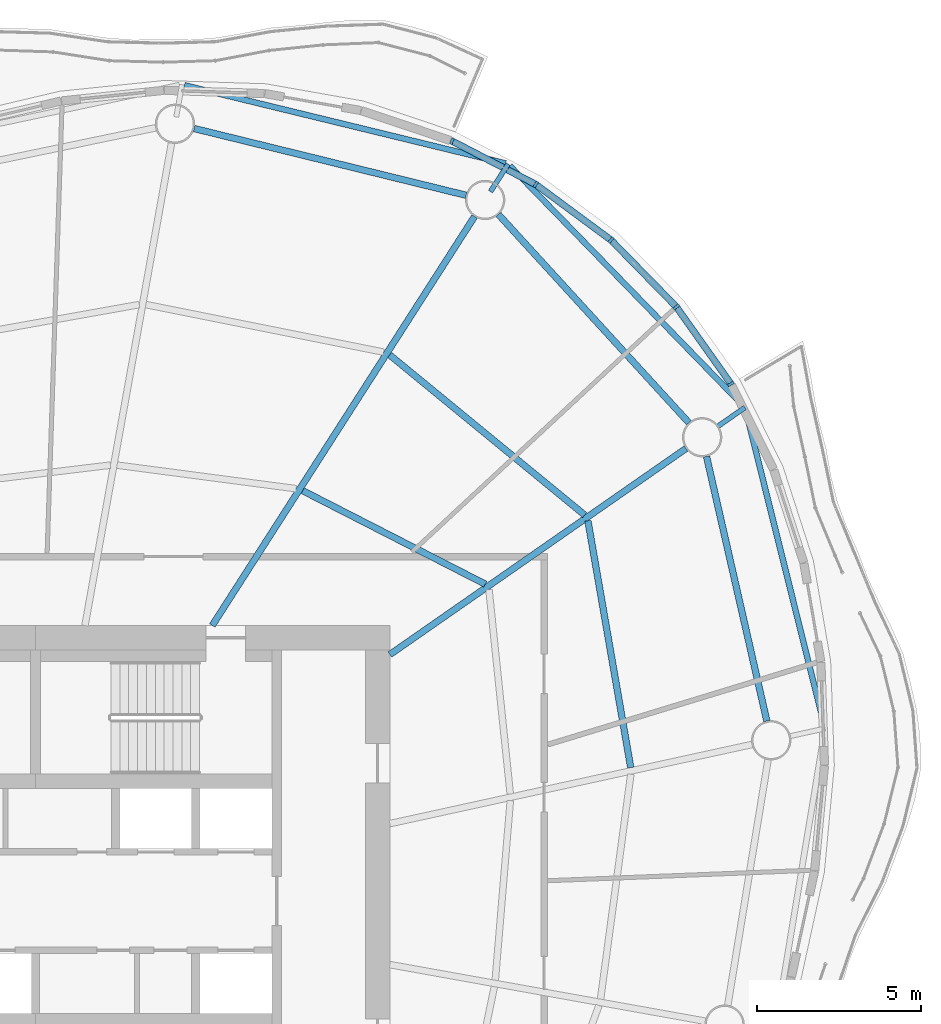
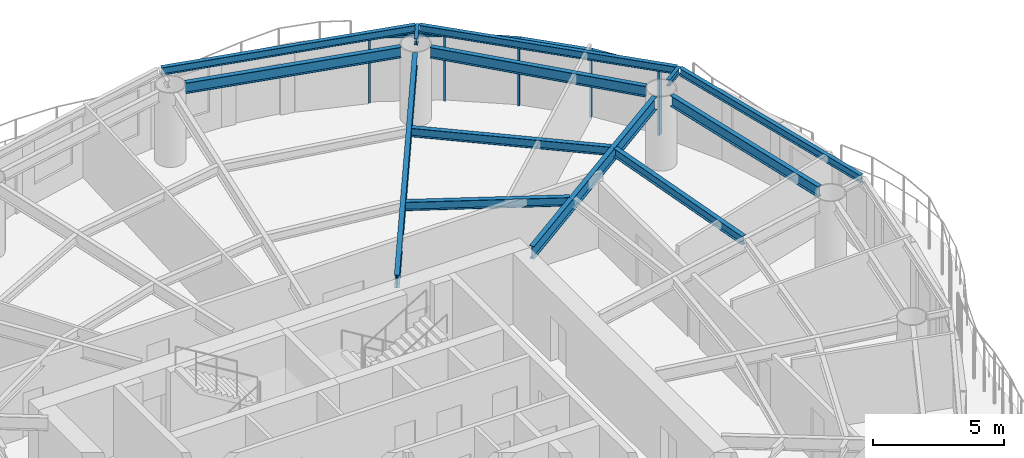
# One storey, part 6 of 14: 13 beams, 9 members, 4 elements without a shape of their own.
"""IFC4 building model written with IfcOpenShell, lengths in metres."""

from ifc_helpers import new_model, si_unit, direction, frame, origin, origin_2d, place, context, subcontext, project, spatial, rectangle, i_section, extrude, material, material_profile, profile_set, type_object, element, aggregate, save


model = new_model("IFC4")

# Units and contexts
model_context = context("Model", 3, precision=1e-05, world=origin(), true_north=direction((0.0, 1.0)))
body_context = subcontext(model_context, "Body", "Model", "MODEL_VIEW")
ifc_project = project(units=[si_unit("LENGTHUNIT", "METRE"), si_unit("AREAUNIT", "SQUARE_METRE"), si_unit("VOLUMEUNIT", "CUBIC_METRE"), si_unit("PLANEANGLEUNIT", "RADIAN"), si_unit("MASSUNIT", "GRAM", prefix="KILO")], contexts=[model_context])

# Site, building, storey
site_placement = place(None, origin())
site = spatial("IfcSite", under=ifc_project, at=site_placement, CompositionType="ELEMENT")
building_placement = place(site_placement, origin())
building = spatial("IfcBuilding", under=site, at=building_placement, Name="Vermilion Reach Broadcast Tower", CompositionType="ELEMENT")
storey_placement = place(building_placement, frame((0.0, 0.0, 228.10009765625)))
storey = spatial("IfcBuildingStorey", under=building, at=storey_placement, Name="L56", CompositionType="ELEMENT", Elevation=228.10009765625)

# Beams
ifc_material_1 = material(Name="Steel S355J2", Category="steel")
ifc_material_profile_1 = material_profile(ifc_material_1, i_section(OverallWidth=0.175048828125, OverallDepth=0.35009765625, WebThickness=0.007080078125, FlangeThickness=0.010986328125, at=origin_2d()), Name="S355J2 HN 350x175x7x11")
ifc_profile_set_1 = profile_set([ifc_material_profile_1], Name="Steel S355J2")
beam_type_1 = type_object("IfcBeamType", Name="EB4 HN 350x175x7x11", PredefinedType="BEAM", material=ifc_profile_set_1)
beam_1_placement = place(storey_placement, frame((8.328125, 22.483154296875, 3.27490234375), z_axis=(-0.971630147479, 0.236505510527, 0.0), x_axis=(-0.236505510527, -0.971630147479, 0.0)))
element("IfcBeam", 1, at=beam_1_placement, inside=storey, type_object=beam_type_1, Name="Edge beam EB4-01", PredefinedType="BEAM", context=body_context, shape_type="SweptSolid", body=[
    extrude(i_section(OverallWidth=0.175048828125, OverallDepth=0.35009765625, WebThickness=0.007080078125, FlangeThickness=0.010986328125, at=origin_2d()), origin(), (0.0, 0.0, 1.0), 10.0771484375),
])
beam_2_placement = place(storey_placement, frame((18.0458984375, 5.332763671875, 3.27490234375), z_axis=(-0.24218848955, 0.970229218035, 0.0), x_axis=(-0.970229218035, -0.24218848955, 0.0)))
element("IfcBeam", 2, at=beam_2_placement, inside=storey, type_object=beam_type_1, Name="Edge beam EB4-15", PredefinedType="BEAM", context=body_context, shape_type="SweptSolid", body=[
    extrude(i_section(OverallWidth=0.175048828125, OverallDepth=0.35009765625, WebThickness=0.007080078125, FlangeThickness=0.010986328125, at=origin_2d()), origin(), (0.0, 0.0, 1.0), 9.929443359375),
])
beam_3_placement = place(storey_placement, frame((15.56884765625, 15.098876953125, 3.27490234375), z_axis=(-0.697210688618, 0.716866274613, 0.0), x_axis=(-0.716866274613, -0.697210688618, 0.0)))
element("IfcBeam", 3, at=beam_3_placement, inside=storey, type_object=beam_type_1, Name="Edge beam EB4-16", PredefinedType="BEAM", context=body_context, shape_type="SweptSolid", body=[
    extrude(i_section(OverallWidth=0.175048828125, OverallDepth=0.35009765625, WebThickness=0.007080078125, FlangeThickness=0.010986328125, at=origin_2d()), origin(), (0.0, 0.0, 1.0), 10.197509765625),
])
ifc_material_2 = material(Name="Steel S355J2", Category="steel")
ifc_material_profile_2 = material_profile(ifc_material_2, i_section(OverallWidth=0.199951171875, OverallDepth=0.60009765625, WebThickness=0.010986328125, FlangeThickness=0.01708984375, at=origin_2d()), Name="S355J2 HN 600x200x11x17")
ifc_profile_set_2 = profile_set([ifc_material_profile_2], Name="Steel S355J2")
beam_type_2 = type_object("IfcBeamType", Name="G4 HN 600x200x11x17", PredefinedType="BEAM", material=ifc_profile_set_2)
beam_4_placement = place(storey_placement, frame((-0.613525390625, 8.39990234375, 3.14990234375), z_axis=(0.539796447586, 0.84179557802, 0.0), x_axis=(-0.84179557802, 0.539796447586, 0.0)))
element("IfcBeam", 4, at=beam_4_placement, inside=storey, type_object=beam_type_2, Name="Girder G4-01", PredefinedType="BEAM", context=body_context, shape_type="SweptSolid", body=[
    extrude(i_section(OverallWidth=0.199951171875, OverallDepth=0.60009765625, WebThickness=0.010986328125, FlangeThickness=0.01708984375, at=origin_2d()), origin(), (0.0, 0.0, 1.0), 14.8076171875),
])
beam_5_placement = place(storey_placement, frame((4.800048828125, 7.5146484375, 3.14990234375), z_axis=(0.820848627818, 0.571145804684, 0.0), x_axis=(-0.571145804684, 0.820848627818, 0.0)))
element("IfcBeam", 5, at=beam_5_placement, inside=storey, type_object=beam_type_2, Name="Girder G4-16", PredefinedType="BEAM", context=body_context, shape_type="SweptSolid", body=[
    extrude(i_section(OverallWidth=0.199951171875, OverallDepth=0.60009765625, WebThickness=0.010986328125, FlangeThickness=0.01708984375, at=origin_2d()), origin(), (0.0, 0.0, 1.0), 10.99560546875),
])
ifc_material_3 = material(Name="Steel S355J2", Category="steel")
ifc_material_profile_3 = material_profile(ifc_material_3, i_section(OverallWidth=0.14990234375, OverallDepth=0.300048828125, WebThickness=0.006591796875, FlangeThickness=0.009033203125, at=origin_2d()), Name="S355J2 HN 300x150x6.5x9")
ifc_profile_set_3 = profile_set([ifc_material_profile_3], Name="Steel S355J2")
beam_type_3 = type_object("IfcBeamType", Name="GS4 HN 300x150x6.5x9", PredefinedType="BEAM", material=ifc_profile_set_3)
for number, where, z_axis, x_axis, name in (
    (6, (7.865478515625, 21.62255859375, 3.2998046875), (0.539794777091, 0.841796649213, 0.0), (-0.841796649213, 0.539794777091, 0.0), "Cantilever stub GS4-01"),
    (7, (14.801025390625, 14.47314453125, 3.2998046875), (0.820765852073, 0.571264751294, 0.0), (-0.571264751294, 0.820765852073, 0.0), "Cantilever stub GS4-16"),
):
    element("IfcBeam", number, at=place(storey_placement, frame(where, z_axis=z_axis, x_axis=x_axis)), inside=storey, type_object=beam_type_3, Name=name, PredefinedType="BEAM", context=body_context, shape_type="SweptSolid", body=[
        extrude(i_section(OverallWidth=0.14990234375, OverallDepth=0.300048828125, WebThickness=0.006591796875, FlangeThickness=0.009033203125, at=origin_2d()), origin(), (0.0, 0.0, 1.0), 1.0),
    ])
ifc_material_4 = material(Name="Steel S355J2", Category="steel")
ifc_material_profile_4 = material_profile(ifc_material_4, i_section(OverallWidth=0.199951171875, OverallDepth=0.5, WebThickness=0.010009765625, FlangeThickness=0.01611328125, at=origin_2d()), Name="S355J2 HN 500x200x10x16")
ifc_profile_set_4 = profile_set([ifc_material_profile_4], Name="Steel S355J2")
beam_type_4 = type_object("IfcBeamType", Name="RB4 HN 500x200x10x16", PredefinedType="BEAM", material=ifc_profile_set_4)
beam_6_placement = place(storey_placement, frame((7.120849609375, 21.51318359375, 3.199951171875), z_axis=(-0.971158622271, 0.238434331398, 0.0), x_axis=(-0.238434331398, -0.971158622271, 0.0)))
element("IfcBeam", 8, at=beam_6_placement, inside=storey, type_object=beam_type_4, Name="Ring beam RB4-01", PredefinedType="BEAM", context=body_context, shape_type="SweptSolid", body=[
    extrude(i_section(OverallWidth=0.199951171875, OverallDepth=0.5, WebThickness=0.010009765625, FlangeThickness=0.01611328125, at=origin_2d()), origin(), (0.0, 0.0, 1.0), 8.534423828125),
])
beam_7_placement = place(storey_placement, frame((16.290283203125, 5.486572265625, 3.199951171875), z_axis=(-0.222283068275, 0.974982172944, 0.0), x_axis=(-0.974982172944, -0.222283068275, 0.0)))
element("IfcBeam", 9, at=beam_7_placement, inside=storey, type_object=beam_type_4, Name="Ring beam RB4-15", PredefinedType="BEAM", context=body_context, shape_type="SweptSolid", body=[
    extrude(i_section(OverallWidth=0.199951171875, OverallDepth=0.5, WebThickness=0.010009765625, FlangeThickness=0.01611328125, at=origin_2d()), origin(), (0.0, 0.0, 1.0), 8.272705078125),
])
beam_8_placement = place(storey_placement, frame((13.9130859375, 14.580078125, 3.199951171875), z_axis=(-0.674868141417, 0.737938338684, 0.0), x_axis=(-0.737938338684, -0.674868141417, 0.0)))
element("IfcBeam", 10, at=beam_8_placement, inside=storey, type_object=beam_type_4, Name="Ring beam RB4-16", PredefinedType="BEAM", context=body_context, shape_type="SweptSolid", body=[
    extrude(i_section(OverallWidth=0.199951171875, OverallDepth=0.5, WebThickness=0.010009765625, FlangeThickness=0.01611328125, at=origin_2d()), origin(), (0.0, 0.0, 1.0), 8.601318359375),
])
ifc_material_5 = material(Name="Steel S355J2", Category="steel")
ifc_material_profile_5 = material_profile(ifc_material_5, i_section(OverallWidth=0.199951171875, OverallDepth=0.39990234375, WebThickness=0.008056640625, FlangeThickness=0.012939453125, at=origin_2d()), Name="S355J2 HN 400x200x8x13")
ifc_profile_set_5 = profile_set([ifc_material_profile_5], Name="Steel S355J2")
beam_type_5 = type_object("IfcBeamType", Name="SB4 HN 400x200x8x13", PredefinedType="BEAM", material=ifc_profile_set_5)
beam_9_placement = place(storey_placement, frame((12.141357421875, 4.067626953125, 3.25), z_axis=(-0.170926997669, 0.985283695931, 0.0), x_axis=(-0.985283695931, -0.170926997669, 0.0)))
element("IfcBeam", 11, at=beam_9_placement, inside=storey, type_object=beam_type_5, Name="Secondary beam SB4-15-2", PredefinedType="BEAM", context=body_context, shape_type="SweptSolid", body=[
    extrude(i_section(OverallWidth=0.199951171875, OverallDepth=0.39990234375, WebThickness=0.008056640625, FlangeThickness=0.012939453125, at=origin_2d()), origin(), (0.0, 0.0, 1.0), 7.63720703125),
])
beam_10_placement = place(storey_placement, frame((7.707763671875, 9.659423828125, 3.25), z_axis=(-0.89015575218, 0.455656380249, 0.0), x_axis=(-0.455656380249, -0.89015575218, 0.0)))
element("IfcBeam", 12, at=beam_10_placement, inside=storey, type_object=beam_type_5, Name="Secondary beam SB4-16-1", PredefinedType="BEAM", context=body_context, shape_type="SweptSolid", body=[
    extrude(i_section(OverallWidth=0.199951171875, OverallDepth=0.39990234375, WebThickness=0.008056640625, FlangeThickness=0.012939453125, at=origin_2d()), origin(), (0.0, 0.0, 1.0), 6.25439453125),
])
beam_11_placement = place(storey_placement, frame((10.73681640625, 11.76708984375, 3.25), z_axis=(-0.772952000494, 0.6344645025, 0.0), x_axis=(-0.6344645025, -0.772952000494, 0.0)))
element("IfcBeam", 13, at=beam_11_placement, inside=storey, type_object=beam_type_5, Name="Secondary beam SB4-16-2", PredefinedType="BEAM", context=body_context, shape_type="SweptSolid", body=[
    extrude(i_section(OverallWidth=0.199951171875, OverallDepth=0.39990234375, WebThickness=0.008056640625, FlangeThickness=0.012939453125, at=origin_2d()), origin(), (0.0, 0.0, 1.0), 7.689697265625),
])

# Curtain wall, member
ifc_material_6 = material(Name="Low-e laminated clear glass in aluminium frame", Category="aluminium")
curtain_wall_type = type_object("IfcCurtainWallType", Name="Slot curtain wall", PredefinedType="NOTDEFINED", material=ifc_material_6)
placement = place(storey_placement, origin())
curtain_wall_1 = element("IfcCurtainWall", 14, at=placement, inside=storey, type_object=curtain_wall_type, Name="Slot curtain wall L56 46", PredefinedType="NOTDEFINED")
ifc_material_7 = material(Name="Anodised aluminium", Category="aluminium")
ifc_material_profile_6 = material_profile(ifc_material_7, rectangle(XDim=0.199951171875, YDim=0.080078125, at=origin_2d()), Name="Slot mullion 80 x 200")
ifc_profile_set_6 = profile_set([ifc_material_profile_6], Name="Anodised aluminium")
member_type_1 = type_object("IfcMemberType", Name="Slot mullion 80 x 200", PredefinedType="MULLION", material=ifc_profile_set_6)
member_1_placement = place(storey_placement, frame((15.195556640625, 15.7646484375, 0.0), z_axis=(0.0, 0.0, 1.0), x_axis=(-0.85818554969, -0.513339616924, 0.0)))
member_1 = element("IfcMember", 15, at=member_1_placement, type_object=member_type_1, Name="Slot mullion L56 46", PredefinedType="MULLION", context=body_context, shape_type="SweptSolid", body=[
    extrude(rectangle(XDim=0.199951171875, YDim=0.080078125, at=origin_2d()), origin(), (0.0, 0.0, 1.0), 3.099853515625),
])

curtain_wall_2 = element("IfcCurtainWall", 16, at=placement, inside=storey, type_object=curtain_wall_type, Name="Slot curtain wall L56 47", PredefinedType="NOTDEFINED")
member_2_placement = place(storey_placement, frame((13.533203125, 18.11083984375, 0.0), z_axis=(0.0, 0.0, 1.0), x_axis=(-0.767712269855, -0.640794718075, 0.0)))
member_2 = element("IfcMember", 17, at=member_2_placement, type_object=member_type_1, Name="Slot mullion L56 47", PredefinedType="MULLION", context=body_context, shape_type="SweptSolid", body=[
    extrude(rectangle(XDim=0.199951171875, YDim=0.080078125, at=origin_2d()), origin(), (0.0, 0.0, 1.0), 3.099853515625),
])

curtain_wall_3 = element("IfcCurtainWall", 18, at=placement, inside=storey, type_object=curtain_wall_type, Name="Slot curtain wall L56 00", PredefinedType="NOTDEFINED")
member_3_placement = place(storey_placement, frame((11.539306640625, 20.148193359375, 0.0), z_axis=(0.0, 0.0, 1.0), x_axis=(-0.656585722448, -0.754251409729, 0.0)))
member_3 = element("IfcMember", 19, at=member_3_placement, type_object=member_type_1, Name="Slot mullion L56 00", PredefinedType="MULLION", context=body_context, shape_type="SweptSolid", body=[
    extrude(rectangle(XDim=0.199951171875, YDim=0.080078125, at=origin_2d()), origin(), (0.0, 0.0, 1.0), 3.099853515625),
])

# Curtain wall, members
curtain_wall_4 = element("IfcCurtainWall", 20, at=placement, inside=storey, type_object=curtain_wall_type, Name="Slot curtain wall L56 01", PredefinedType="NOTDEFINED")
member_4_placement = place(storey_placement, frame((9.24658203125, 21.842529296875, 0.0), z_axis=(0.0, 0.0, 1.0), x_axis=(-0.528899178266, -0.848684664189, 0.0)))
member_4 = element("IfcMember", 21, at=member_4_placement, type_object=member_type_1, Name="Slot mullion L56 01", PredefinedType="MULLION", context=body_context, shape_type="SweptSolid", body=[
    extrude(rectangle(XDim=0.199951171875, YDim=0.080078125, at=origin_2d()), origin(), (0.0, 0.0, 1.0), 3.099853515625),
])
member_5_placement = place(storey_placement, frame((6.69384765625, 23.16552734375, 0.0), z_axis=(0.0, 0.0, 1.0), x_axis=(-0.390193517447, -0.920732870567, 0.0)))
member_5 = element("IfcMember", 22, at=member_5_placement, type_object=member_type_1, Name="Slot mullion L56 02", PredefinedType="MULLION", context=body_context, shape_type="SweptSolid", body=[
    extrude(rectangle(XDim=0.199951171875, YDim=0.080078125, at=origin_2d()), origin(), (0.0, 0.0, 1.0), 3.099853515625),
])

# Member
ifc_material_8 = material(Name="Anodised aluminium", Category="aluminium")
ifc_material_profile_7 = material_profile(ifc_material_8, rectangle(XDim=0.199951171875, YDim=0.10009765625, at=origin_2d()), Name="Slot transom 200 x 100")
ifc_profile_set_7 = profile_set([ifc_material_profile_7], Name="Anodised aluminium")
member_type_2 = type_object("IfcMemberType", Name="Slot transom 200 x 100", PredefinedType="USERDEFINED", material=ifc_profile_set_7)
member_6_placement = place(storey_placement, frame((15.17236328125, 15.79736328125, 3.0498046875), z_axis=(-0.57807791917, 0.815981568032, 0.0), x_axis=(-0.815981568032, -0.57807791917, 0.0)))
member_6 = element("IfcMember", 23, at=member_6_placement, type_object=member_type_2, Name="Slot transom L56 46.1", ObjectType="TRANSOM", PredefinedType="USERDEFINED", context=body_context, shape_type="SweptSolid", body=[
    extrude(rectangle(XDim=0.199951171875, YDim=0.10009765625, at=origin_2d()), origin(), (0.0, 0.0, 1.0), 2.79541015625),
])

aggregate(curtain_wall_1, [member_1, member_6])

member_7_placement = place(storey_placement, frame((13.50537109375, 18.139404296875, 3.0498046875), z_axis=(-0.699488898895, 0.714643463779, 0.0), x_axis=(-0.714643463779, -0.699488898895, 0.0)))
member_7 = element("IfcMember", 24, at=member_7_placement, type_object=member_type_2, Name="Slot transom L56 47.1", ObjectType="TRANSOM", PredefinedType="USERDEFINED", context=body_context, shape_type="SweptSolid", body=[
    extrude(rectangle(XDim=0.199951171875, YDim=0.10009765625, at=origin_2d()), origin(), (0.0, 0.0, 1.0), 2.77099609375),
])

aggregate(curtain_wall_2, [member_2, member_7])

member_8_placement = place(storey_placement, frame((11.507080078125, 20.171875, 3.0498046875), z_axis=(-0.804220088747, 0.5943315984, 0.0), x_axis=(-0.5943315984, -0.804220088747, 0.0)))
member_8 = element("IfcMember", 25, at=member_8_placement, type_object=member_type_2, Name="Slot transom L56 00.1", ObjectType="TRANSOM", PredefinedType="USERDEFINED", context=body_context, shape_type="SweptSolid", body=[
    extrude(rectangle(XDim=0.199951171875, YDim=0.10009765625, at=origin_2d()), origin(), (0.0, 0.0, 1.0), 2.770751953125),
])

aggregate(curtain_wall_3, [member_3, member_8])

member_9_placement = place(storey_placement, frame((9.211181640625, 21.86083984375, 3.0498046875), z_axis=(-0.887835148147, 0.460161656068, 0.0), x_axis=(-0.460161656068, -0.887835148147, 0.0)))
member_9 = element("IfcMember", 26, at=member_9_placement, type_object=member_type_2, Name="Slot transom L56 01.1", ObjectType="TRANSOM", PredefinedType="USERDEFINED", context=body_context, shape_type="SweptSolid", body=[
    extrude(rectangle(XDim=0.199951171875, YDim=0.10009765625, at=origin_2d()), origin(), (0.0, 0.0, 1.0), 2.79541015625),
])

aggregate(curtain_wall_4, [member_4, member_5, member_9])

save(model, "model.ifc")
